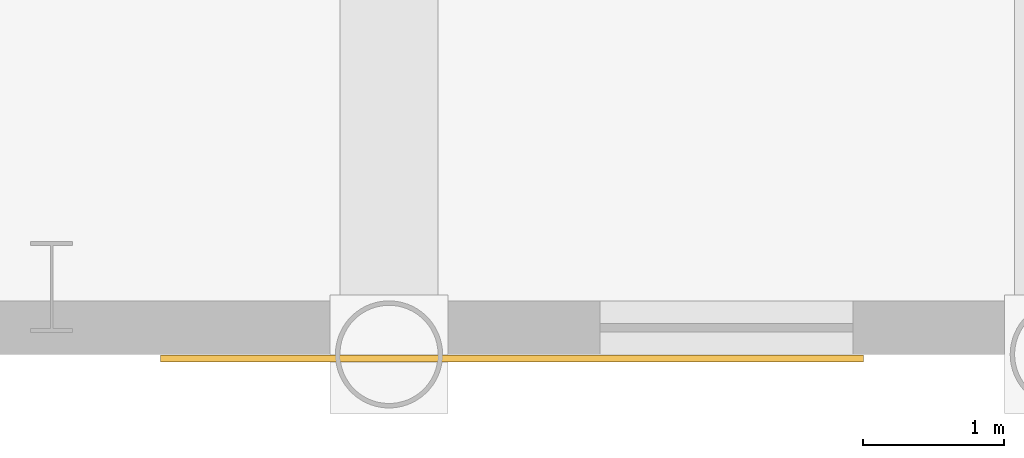
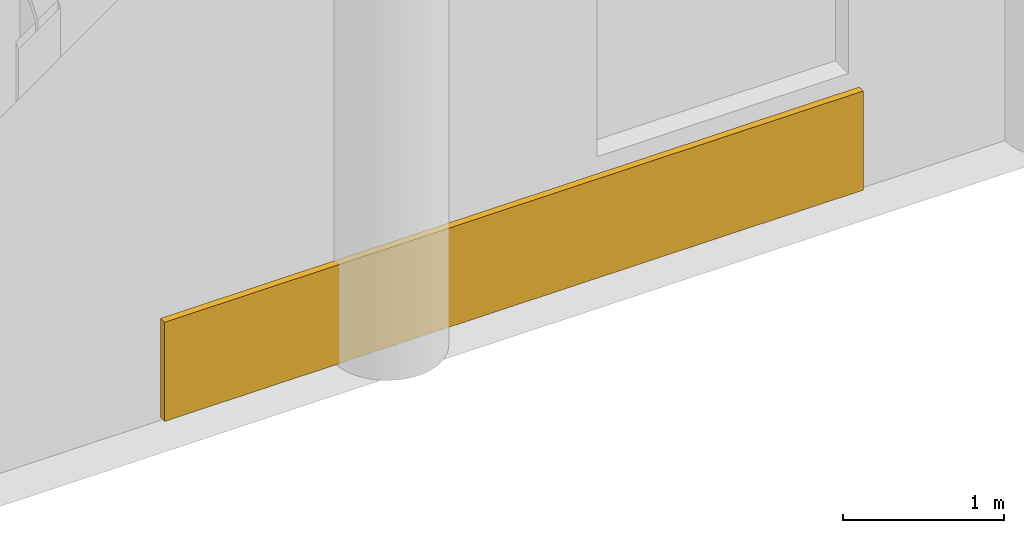
# One storey, part 24 of 26: 1 covering.
"""IFC4 building model written with IfcOpenShell, lengths in metres."""

from ifc_helpers import new_model, si_unit, direction, frame, origin, origin_2d, place, context, subcontext, project, spatial, rectangle, extrude, material, layer, layer_set, type_object, element, save


model = new_model("IFC4")

# Units and contexts
model_context = context("Model", 3, precision=1e-05, world=origin(), true_north=direction((0.0, 1.0)))
body_context = subcontext(model_context, "Body", "Model", "MODEL_VIEW")
ifc_project = project(units=[si_unit("LENGTHUNIT", "METRE"), si_unit("AREAUNIT", "SQUARE_METRE"), si_unit("VOLUMEUNIT", "CUBIC_METRE"), si_unit("PLANEANGLEUNIT", "RADIAN"), si_unit("MASSUNIT", "GRAM", prefix="KILO")], contexts=[model_context])

# Site, building, storey
site_placement = place(None, origin())
site = spatial("IfcSite", under=ifc_project, at=site_placement, CompositionType="ELEMENT")
building_placement = place(site_placement, origin())
building = spatial("IfcBuilding", under=site, at=building_placement, Name="Kallvorn Hotel Tower", CompositionType="ELEMENT")
storey_placement = place(building_placement, frame((0.0, 0.0, 6.0)))
storey = spatial("IfcBuildingStorey", under=building, at=storey_placement, Name="L01", CompositionType="ELEMENT", Elevation=6.0)

# Covering
ifc_material = material(Name="Precast basalt-clad insulated concrete wall C40/50", Category="masonry")
ifc_layer = layer(ifc_material, 0.050048828125)
ifc_layer_set = layer_set([ifc_layer], Name="COV_CLADDING_STONE")
covering_type = type_object("IfcCoveringType", Name="COV_CLADDING_STONE", PredefinedType="CLADDING", material=ifc_layer_set)
covering_placement = place(storey_placement, frame((24.875, -27.030029296875, 0.02490234375), z_axis=(0.0, 0.0, 1.0), x_axis=(1.0, 0.0, 0.0)))
element("IfcCovering", 1, at=covering_placement, inside=storey, type_object=covering_type, Name="L01 Basalt Spandrel Cladding EW-L01-SE", PredefinedType="CLADDING", context=body_context, shape_type="SweptSolid", body=[
    extrude(rectangle(XDim=5.0, YDim=0.050048828125, at=origin_2d()), origin(), (0.0, 0.0, 1.0), 0.75),
])

save(model, "model.ifc")
